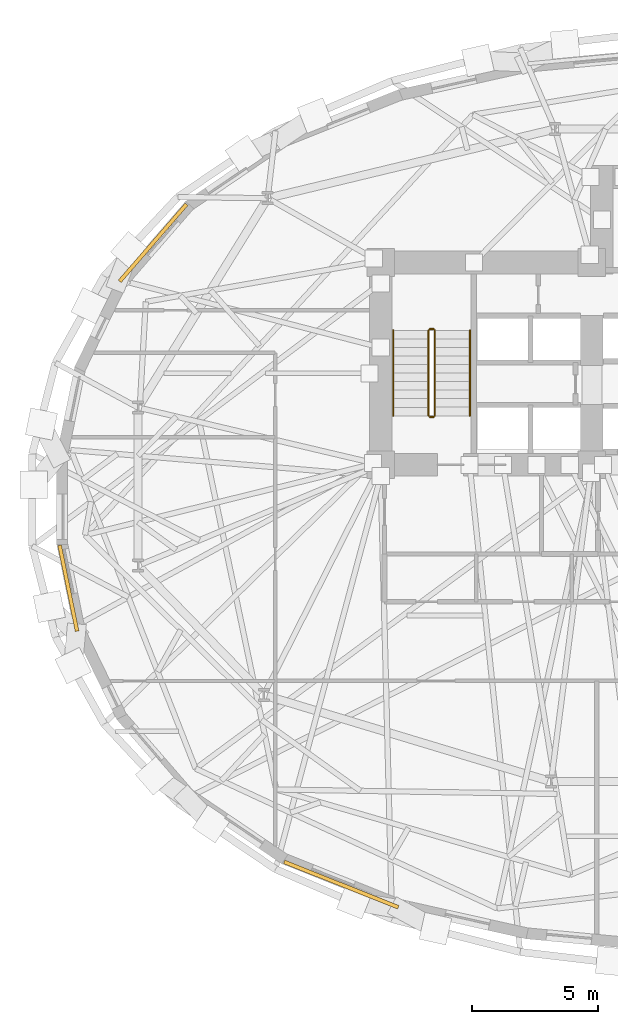
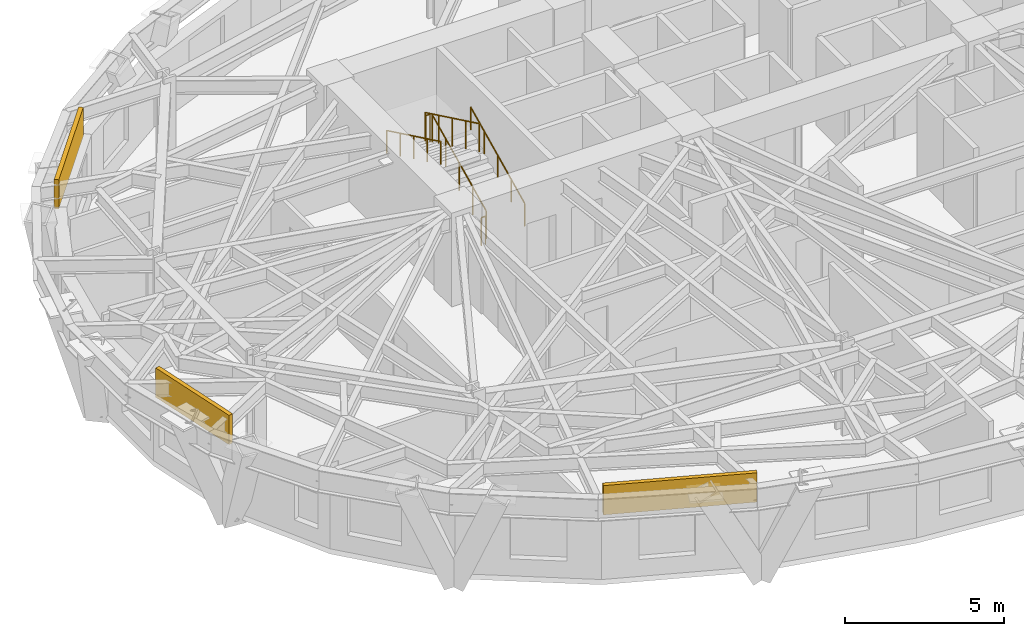
# One storey, part 12 of 15: 6 railings, 3 coverings.
"""IFC4 building model written with IfcOpenShell, lengths in metres."""

from ifc_helpers import new_model, si_unit, direction, frame, origin, origin_2d, place, context, subcontext, project, spatial, rectangle, circle, extrude, material, layer, layer_set, type_object, element, save


model = new_model("IFC4")

# Units and contexts
model_context = context("Model", 3, precision=1e-05, world=origin(), true_north=direction((0.0, 1.0)))
body_context = subcontext(model_context, "Body", "Model", "MODEL_VIEW")
ifc_project = project(units=[si_unit("LENGTHUNIT", "METRE"), si_unit("AREAUNIT", "SQUARE_METRE"), si_unit("VOLUMEUNIT", "CUBIC_METRE"), si_unit("PLANEANGLEUNIT", "RADIAN"), si_unit("MASSUNIT", "GRAM", prefix="KILO")], contexts=[model_context])

# Site, building, storey
site_placement = place(None, origin())
site = spatial("IfcSite", under=ifc_project, at=site_placement, CompositionType="ELEMENT")
building_placement = place(site_placement, origin())
building = spatial("IfcBuilding", under=site, at=building_placement, Name="Keldmark Tower", CompositionType="ELEMENT")
storey_placement = place(building_placement, frame((0.0, 0.0, 37.800048828125)))
storey = spatial("IfcBuildingStorey", under=building, at=storey_placement, Name="L09", CompositionType="ELEMENT", Elevation=37.800048828125)

# Coverings
ifc_material_1 = material(Name="Honed Kasota Buff Dolomitic Limestone", Category="masonry")
ifc_layer = layer(ifc_material_1, 0.074951171875)
ifc_layer_set = layer_set([ifc_layer], Name="Honed Kasota Buff Dolomitic Limestone")
covering_type = type_object("IfcCoveringType", Name="Kasota Buff Limestone Spandrel Cladding Band", PredefinedType="CLADDING", material=ifc_layer_set)
covering_1_placement = place(storey_placement, frame((-22.655517578125, 10.231689453125, 2.452880859375), z_axis=(0.0, 0.0, 1.0), x_axis=(-0.655492441101, -0.755201734412, 0.0)))
element("IfcCovering", 1, at=covering_1_placement, inside=storey, type_object=covering_type, Name="L09 Kasota Limestone Spandrel Band 13", PredefinedType="CLADDING", context=body_context, shape_type="SweptSolid", body=[
    extrude(rectangle(XDim=4.0537109375, YDim=0.14990234375, at=origin_2d()), origin(), (0.0, 0.0, 1.0), 1.126953125),
])
covering_2_placement = place(storey_placement, frame((-26.027587890625, -3.510009765625, 2.452880859375), z_axis=(0.0, 0.0, 1.0), x_axis=(0.1998125896, -0.979834133431, 0.0)))
element("IfcCovering", 2, at=covering_2_placement, inside=storey, type_object=covering_type, Name="L09 Kasota Limestone Spandrel Band 17", PredefinedType="CLADDING", context=body_context, shape_type="SweptSolid", body=[
    extrude(rectangle(XDim=3.481201171875, YDim=0.14990234375, at=origin_2d()), origin(), (0.0, 0.0, 1.0), 1.126953125),
])
covering_3_placement = place(storey_placement, frame((-15.1708984375, -15.300048828125, 2.452880859375), z_axis=(0.0, 0.0, 1.0), x_axis=(0.929042197622, -0.36997377615, 0.0)))
element("IfcCovering", 3, at=covering_3_placement, inside=storey, type_object=covering_type, Name="L09 Kasota Limestone Spandrel Band 21", PredefinedType="CLADDING", context=body_context, shape_type="SweptSolid", body=[
    extrude(rectangle(XDim=4.888671875, YDim=0.14990234375, at=origin_2d()), origin(), (0.0, 0.0, 1.0), 1.126953125),
])

# Railings
ifc_material_2 = material(Name="Painted Steel ASTM A500 Grade B", Category="steel")
railing_type_1 = type_object("IfcRailingType", Name="Painted Steel Stair Well Guard 1100 mm", PredefinedType="GUARDRAIL", material=ifc_material_2)
railing_1_placement = place(storey_placement, frame((-11.449951171875, 3.35009765625, 0.16357421875)))
element("IfcRailing", 4, at=railing_1_placement, inside=storey, type_object=railing_type_1, Name="L09 ST1 stair guard 1", PredefinedType="GUARDRAIL", context=body_context, shape_type="SweptSolid", body=[
    extrude(circle(Radius=0.02392578125, at=origin_2d()), frame((0.0, 0.0, 1.076171875), z_axis=(0.0, 0.901055053782, 0.433704726806), x_axis=(-1.0, 0.0, 0.0)), (0.0, 0.0, 1.0), 3.773193359375),
    extrude(circle(Radius=0.02099609375, at=origin_2d()), origin(), (0.0, 0.0, 1.0), 1.052001953125),
    extrude(circle(Radius=0.02099609375, at=origin_2d()), frame((0.0, 0.85009765625, 0.4091796875)), (0.0, 0.0, 1.0), 1.052001953125),
    extrude(circle(Radius=0.02099609375, at=origin_2d()), frame((0.0, 1.699951171875, 0.818359375)), (0.0, 0.0, 1.0), 1.052001953125),
    extrude(circle(Radius=0.02099609375, at=origin_2d()), frame((0.0, 2.5498046875, 1.227294921875)), (0.0, 0.0, 1.0), 1.052001953125),
    extrude(circle(Radius=0.02099609375, at=origin_2d()), frame((0.0, 3.39990234375, 1.636474609375)), (0.0, 0.0, 1.0), 1.052001953125),
])
railing_2_placement = place(storey_placement, frame((-11.5, 6.800048828125, 1.800048828125)))
element("IfcRailing", 5, at=railing_2_placement, inside=storey, type_object=railing_type_1, Name="L09 ST1 stair guard 2", PredefinedType="GUARDRAIL", context=body_context, shape_type="SweptSolid", body=[
    extrude(circle(Radius=0.02392578125, at=origin_2d()), frame((0.0, 0.0, 1.076171875), z_axis=(-1.0, 0.0, 0.0), x_axis=(0.0, -1.0, 0.0)), (0.0, 0.0, 1.0), 0.14990234375),
    extrude(circle(Radius=0.02099609375, at=origin_2d()), origin(), (0.0, 0.0, 1.0), 1.052001953125),
    extrude(circle(Radius=0.02099609375, at=origin_2d()), frame((-0.14990234375, 0.0, 0.0)), (0.0, 0.0, 1.0), 1.052001953125),
])
railing_3_placement = place(storey_placement, frame((-11.699951171875, 6.75, 1.963623046875)))
element("IfcRailing", 6, at=railing_3_placement, inside=storey, type_object=railing_type_1, Name="L09 ST1 stair guard 3", PredefinedType="GUARDRAIL", context=body_context, shape_type="SweptSolid", body=[
    extrude(circle(Radius=0.02392578125, at=origin_2d()), frame((0.0, 0.0, 1.076171875), z_axis=(0.0, -0.901080338394, 0.433652192153), x_axis=(1.0, 0.0, 0.0)), (0.0, 0.0, 1.0), 3.773193359375),
    extrude(circle(Radius=0.02099609375, at=origin_2d()), origin(), (0.0, 0.0, 1.0), 1.052001953125),
    extrude(circle(Radius=0.02099609375, at=origin_2d()), frame((0.0, -0.85009765625, 0.4091796875)), (0.0, 0.0, 1.0), 1.052001953125),
    extrude(circle(Radius=0.02099609375, at=origin_2d()), frame((0.0, -1.699951171875, 0.818115234375)), (0.0, 0.0, 1.0), 1.052001953125),
    extrude(circle(Radius=0.02099609375, at=origin_2d()), frame((0.0, -2.5498046875, 1.22705078125)), (0.0, 0.0, 1.0), 1.052001953125),
    extrude(circle(Radius=0.02099609375, at=origin_2d()), frame((0.0, -3.39990234375, 1.63623046875)), (0.0, 0.0, 1.0), 1.052001953125),
])
railing_4_placement = place(storey_placement, frame((-11.5, 3.300048828125, 0.0)))
element("IfcRailing", 7, at=railing_4_placement, inside=storey, type_object=railing_type_1, Name="L09 ST1 stair guard 4", PredefinedType="GUARDRAIL", context=body_context, shape_type="SweptSolid", body=[
    extrude(circle(Radius=0.02392578125, at=origin_2d()), frame((0.0, 0.0, 1.076171875), z_axis=(-1.0, 0.0, 0.0), x_axis=(0.0, -1.0, 0.0)), (0.0, 0.0, 1.0), 0.14990234375),
    extrude(circle(Radius=0.02099609375, at=origin_2d()), origin(), (0.0, 0.0, 1.0), 1.052001953125),
    extrude(circle(Radius=0.02099609375, at=origin_2d()), frame((-0.14990234375, 0.0, 0.0)), (0.0, 0.0, 1.0), 1.052001953125),
])
ifc_material_3 = material(Name="Stainless Steel AISI 316L", Category="steel")
railing_type_2 = type_object("IfcRailingType", Name="Stainless Steel Stair Handrail 900 mm", PredefinedType="HANDRAIL", material=ifc_material_3)
railing_5_placement = place(storey_placement, frame((-10.050048828125, 3.35009765625, 0.16357421875)))
element("IfcRailing", 8, at=railing_5_placement, inside=storey, type_object=railing_type_2, Name="L09 ST1 stair handrail 1", PredefinedType="HANDRAIL", context=body_context, shape_type="SweptSolid", body=[
    extrude(circle(Radius=0.02392578125, at=origin_2d()), frame((0.0, 0.0, 0.8759765625), z_axis=(0.0, 0.901055053782, 0.433704726806), x_axis=(-1.0, 0.0, 0.0)), (0.0, 0.0, 1.0), 3.773193359375),
    extrude(circle(Radius=0.02099609375, at=origin_2d()), origin(), (0.0, 0.0, 1.0), 0.851806640625),
    extrude(circle(Radius=0.02099609375, at=origin_2d()), frame((0.0, 0.85009765625, 0.4091796875)), (0.0, 0.0, 1.0), 0.851806640625),
    extrude(circle(Radius=0.02099609375, at=origin_2d()), frame((0.0, 1.699951171875, 0.818359375)), (0.0, 0.0, 1.0), 0.851806640625),
    extrude(circle(Radius=0.02099609375, at=origin_2d()), frame((0.0, 2.5498046875, 1.227294921875)), (0.0, 0.0, 1.0), 0.851806640625),
    extrude(circle(Radius=0.02099609375, at=origin_2d()), frame((0.0, 3.39990234375, 1.636474609375)), (0.0, 0.0, 1.0), 0.851806640625),
])
railing_6_placement = place(storey_placement, frame((-13.10009765625, 6.75, 1.963623046875)))
element("IfcRailing", 9, at=railing_6_placement, inside=storey, type_object=railing_type_2, Name="L09 ST1 stair handrail 2", PredefinedType="HANDRAIL", context=body_context, shape_type="SweptSolid", body=[
    extrude(circle(Radius=0.02392578125, at=origin_2d()), frame((0.0, 0.0, 0.8759765625), z_axis=(0.0, -0.901080338394, 0.433652192153), x_axis=(1.0, 0.0, 0.0)), (0.0, 0.0, 1.0), 3.773193359375),
    extrude(circle(Radius=0.02099609375, at=origin_2d()), origin(), (0.0, 0.0, 1.0), 0.851806640625),
    extrude(circle(Radius=0.02099609375, at=origin_2d()), frame((0.0, -0.85009765625, 0.4091796875)), (0.0, 0.0, 1.0), 0.851806640625),
    extrude(circle(Radius=0.02099609375, at=origin_2d()), frame((0.0, -1.699951171875, 0.818115234375)), (0.0, 0.0, 1.0), 0.851806640625),
    extrude(circle(Radius=0.02099609375, at=origin_2d()), frame((0.0, -2.5498046875, 1.22705078125)), (0.0, 0.0, 1.0), 0.851806640625),
    extrude(circle(Radius=0.02099609375, at=origin_2d()), frame((0.0, -3.39990234375, 1.63623046875)), (0.0, 0.0, 1.0), 0.851806640625),
])

save(model, "model.ifc")
